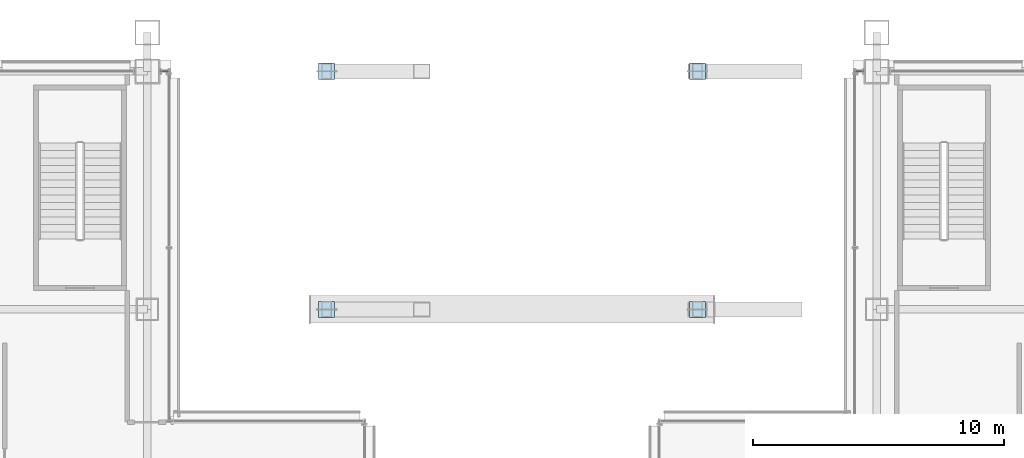
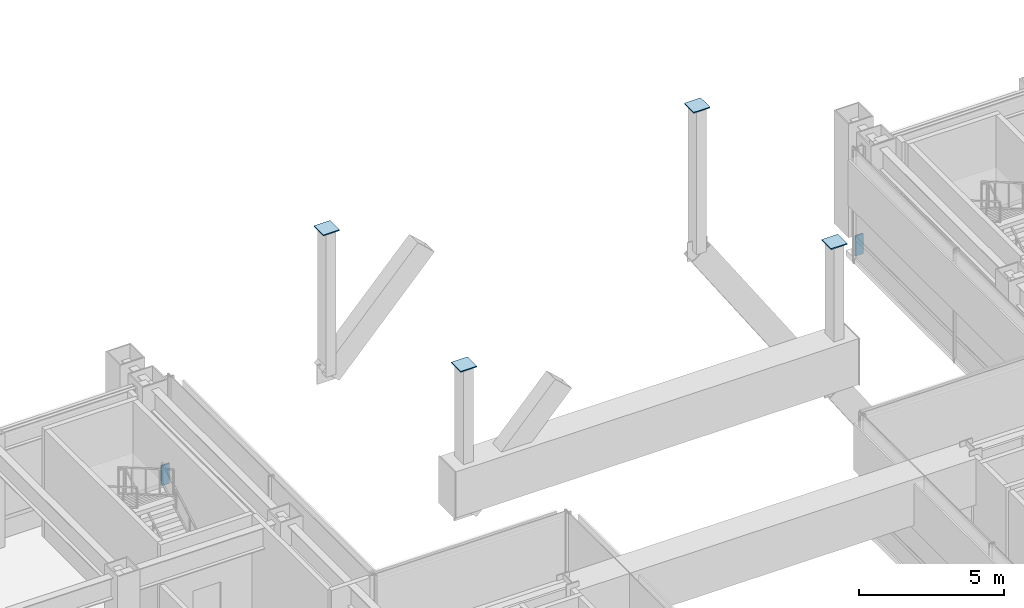
# One storey, part 36 of 42: 6 plates, 2 elements without a shape of their own.
"""IFC4 building model written with IfcOpenShell, lengths in metres."""

from ifc_helpers import new_model, si_unit, direction, frame, origin, origin_2d, place, context, subcontext, project, spatial, rectangle, extrude, material, layer, layer_set, type_object, element, aggregate, save


model = new_model("IFC4")

# Units and contexts
model_context = context("Model", 3, precision=1e-05, world=origin(), true_north=direction((0.0, 1.0)))
body_context = subcontext(model_context, "Body", "Model", "MODEL_VIEW")
ifc_project = project(units=[si_unit("LENGTHUNIT", "METRE"), si_unit("AREAUNIT", "SQUARE_METRE"), si_unit("VOLUMEUNIT", "CUBIC_METRE"), si_unit("PLANEANGLEUNIT", "RADIAN"), si_unit("MASSUNIT", "GRAM", prefix="KILO")], contexts=[model_context])

# Site, building, storey
site_placement = place(None, origin())
site = spatial("IfcSite", under=ifc_project, at=site_placement, CompositionType="ELEMENT")
building_placement = place(site_placement, origin())
building = spatial("IfcBuilding", under=site, at=building_placement, Name="Brelmoor Portico Tower", CompositionType="ELEMENT")
storey_placement = place(building_placement, frame((0.0, 0.0, 9.60009765625)))
storey = spatial("IfcBuildingStorey", under=building, at=storey_placement, Name="L02", CompositionType="ELEMENT", Elevation=9.60009765625)

# Plates
ifc_material_1 = material(Name="Steel Q355B", Category="steel")
ifc_layer_1 = layer(ifc_material_1, 0.044921875)
ifc_layer_set_1 = layer_set([ifc_layer_1], Name="Steel Q355B")
plate_type_1 = type_object("IfcPlateType", Name="PT-CAP-650", PredefinedType="SHEET", material=ifc_layer_set_1)
for number, where, z_axis, x_axis, name in (
    (1, (-7.39990234375, 18.050048828125, 8.532470703125), (0.0, 0.0, 1.0), (1.0, 0.0, 0.0), "Portico Arch Spandrel Strut N2-2 Joint Cap Plate 2"),
    (2, (7.39990234375, 18.050048828125, 8.532470703125), (0.0, 0.0, 1.0), (1.0, 0.0, 0.0), "Portico Arch Spandrel Strut N2-5 Joint Cap Plate 2"),
    (3, (-7.39990234375, 27.550048828125, 8.532470703125), (0.0, 0.0, 1.0), (1.0, 0.0, 0.0), "Portico Arch Spandrel Strut N1-2 Joint Cap Plate 2"),
    (4, (7.39990234375, 27.550048828125, 8.532470703125), (0.0, 0.0, 1.0), (1.0, 0.0, 0.0), "Portico Arch Spandrel Strut N1-5 Joint Cap Plate 2"),
):
    element("IfcPlate", number, at=place(storey_placement, frame(where, z_axis=z_axis, x_axis=x_axis)), inside=storey, type_object=plate_type_1, Name=name, PredefinedType="SHEET", context=body_context, shape_type="SweptSolid", body=[
        extrude(rectangle(XDim=0.64990234375, YDim=0.64990234375, at=origin_2d()), origin(), (0.0, 0.0, 1.0), 0.044921875),
    ])

# Curtain wall, plate
ifc_material_2 = material(Name="Anodised Aluminium Alloy 6063-T6", Category="aluminium")
ifc_layer_2 = layer(ifc_material_2, 0.179931640625)
ifc_layer_set_2 = layer_set([ifc_layer_2], Name="Anodised Aluminium Alloy 6063-T6")
curtain_wall_type = type_object("IfcCurtainWallType", Name="CW-PODIUM-ARCH", PredefinedType="NOTDEFINED", material=ifc_layer_set_2)
curtain_wall_1_placement = place(storey_placement, origin())
curtain_wall_1 = element("IfcCurtainWall", 5, at=curtain_wall_1_placement, inside=storey, type_object=curtain_wall_type, Name="L02 Curtain Wall CW-L02-03-3", PredefinedType="NOTDEFINED")
ifc_material_3 = material(Name="Pale Champagne Anodised Aluminium Panel", Category="aluminium")
ifc_layer_3 = layer(ifc_material_3, 0.050048828125)
ifc_layer_set_3 = layer_set([ifc_layer_3], Name="Pale Champagne Anodised Aluminium Panel")
plate_type_2 = type_object("IfcPlateType", Name="PT-CW-SPANDREL", PredefinedType="SHEET", material=ifc_layer_set_3)
plate_1_placement = place(storey_placement, frame((-13.860107421875, 27.550048828125, -0.000244140625), z_axis=(0.0, 0.0, 1.0), x_axis=(1.0, 0.0, 0.0)))
plate_1 = element("IfcPlate", 6, at=plate_1_placement, type_object=plate_type_2, Name="CW-L02-03-3 Spandrel Panel 00", PredefinedType="SHEET", context=body_context, shape_type="SweptSolid", body=[
    extrude(rectangle(XDim=0.330078125, YDim=0.050048828125, at=origin_2d()), origin(), (0.0, 0.0, 1.0), 0.85009765625),
])
aggregate(curtain_wall_1, [plate_1])

curtain_wall_2_placement = place(storey_placement, origin())
curtain_wall_2 = element("IfcCurtainWall", 7, at=curtain_wall_2_placement, inside=storey, type_object=curtain_wall_type, Name="L02 Curtain Wall CW-L02-04-1", PredefinedType="NOTDEFINED")
plate_2_placement = place(storey_placement, frame((13.860107421875, 27.550048828125, -0.000244140625), z_axis=(0.0, 0.0, 1.0), x_axis=(1.0, 0.0, 0.0)))
plate_2 = element("IfcPlate", 8, at=plate_2_placement, type_object=plate_type_2, Name="CW-L02-04-1 Spandrel Panel 00", PredefinedType="SHEET", context=body_context, shape_type="SweptSolid", body=[
    extrude(rectangle(XDim=0.330078125, YDim=0.050048828125, at=origin_2d()), origin(), (0.0, 0.0, 1.0), 0.85009765625),
])
aggregate(curtain_wall_2, [plate_2])

save(model, "model.ifc")
